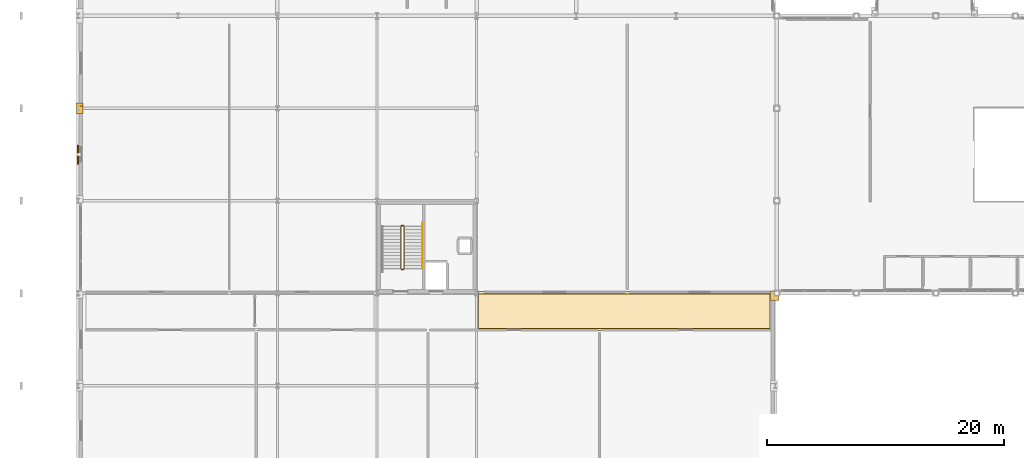
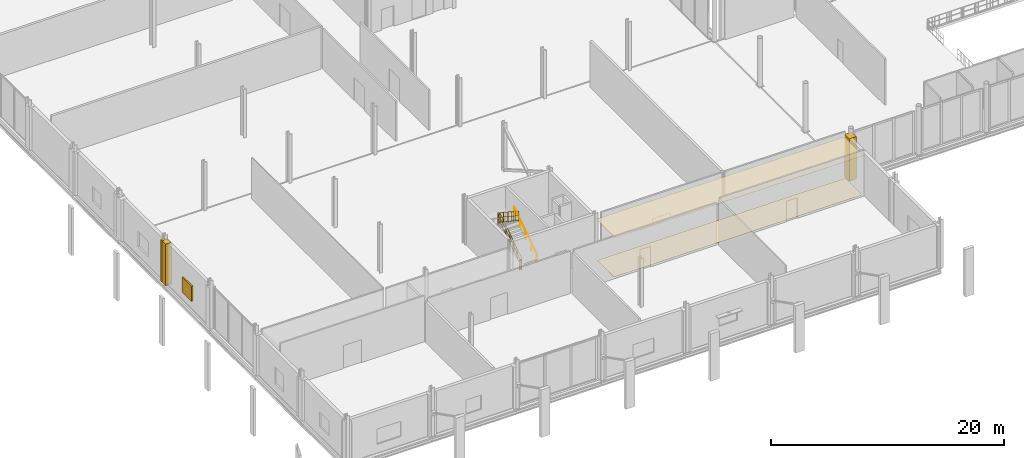
# One storey, part 93 of 105: 5 coverings, 5 railings, 1 shading device.
"""IFC4 building model written with IfcOpenShell, lengths in metres."""

from ifc_helpers import new_model, si_unit, direction, frame, origin, origin_2d, place, context, subcontext, project, spatial, polyline, rectangle, circle, outline, extrude, material, layer, layer_set, type_object, element, save


model = new_model("IFC4")

# Units and contexts
model_context = context("Model", 3, precision=1e-05, world=origin(), true_north=direction((0.0, 1.0)))
body_context = subcontext(model_context, "Body", "Model", "MODEL_VIEW")
ifc_project = project(units=[si_unit("LENGTHUNIT", "METRE"), si_unit("AREAUNIT", "SQUARE_METRE"), si_unit("VOLUMEUNIT", "CUBIC_METRE"), si_unit("PLANEANGLEUNIT", "RADIAN"), si_unit("MASSUNIT", "GRAM", prefix="KILO")], contexts=[model_context])

# Site, building, storey
site_placement = place(None, origin())
site = spatial("IfcSite", under=ifc_project, at=site_placement, CompositionType="ELEMENT")
building_placement = place(site_placement, origin())
building = spatial("IfcBuilding", under=site, at=building_placement, Name="Nabrawat Pavilion Hospital", CompositionType="ELEMENT")
storey_placement = place(building_placement, frame((0.0, 0.0, 5.10009765625)))
storey = spatial("IfcBuildingStorey", under=building, at=storey_placement, Name="L01", CompositionType="ELEMENT", Elevation=5.10009765625)

# Coverings
ifc_material_1 = material(Name="Precast concrete C40/50", Category="concrete")
ifc_layer_1 = layer(ifc_material_1, 0.360107421875, Name="Precast concrete C40/50")
ifc_layer_set_1 = layer_set([ifc_layer_1], Name="Precast concrete C40/50")
covering_type_1 = type_object("IfcCoveringType", Name="Architectural Precast Column-Jamb Closure Reveal", PredefinedType="CLADDING", material=ifc_layer_set_1)
covering_1_placement = place(storey_placement, origin())
element("IfcCovering", 1, at=covering_1_placement, inside=storey, type_object=covering_type_1, Name="L01 Precast Facade Column-Jamb Weatherseal Closure 0176", PredefinedType="CLADDING", context=body_context, shape_type="SweptSolid", body=[
    extrude(outline(polyline([(0.39990234375, 30.77001953125), (0.39990234375, 31.3798828125), (-0.179931640625, 31.3798828125), (-0.179931640625, 30.77001953125), (0.39990234375, 30.77001953125)])), origin(), (0.0, 0.0, 1.0), 4.329833984375),
])
covering_2_placement = place(storey_placement, origin())
element("IfcCovering", 2, at=covering_2_placement, inside=storey, type_object=covering_type_1, Name="L01 Precast Facade Column-Jamb Weatherseal Closure 0177", PredefinedType="CLADDING", context=body_context, shape_type="SweptSolid", body=[
    extrude(outline(polyline([(0.39990234375, 31.02001953125), (0.39990234375, 31.6298828125), (-0.179931640625, 31.6298828125), (-0.179931640625, 31.02001953125), (0.39990234375, 31.02001953125)])), origin(), (0.0, 0.0, 1.0), 4.329833984375),
])
covering_3_placement = place(storey_placement, origin())
element("IfcCovering", 3, at=covering_3_placement, inside=storey, type_object=covering_type_1, Name="L01 Precast Facade Column-Jamb Weatherseal Closure 0224", PredefinedType="CLADDING", context=body_context, shape_type="SweptSolid", body=[
    extrude(outline(polyline([(59.10009765625, 14.97998046875), (59.10009765625, 15.780029296875), (58.39990234375, 15.780029296875), (58.39990234375, 14.97998046875), (59.10009765625, 14.97998046875)])), origin(), (0.0, 0.0, 1.0), 4.43994140625),
])
ifc_material_2 = material(Name="Mineral-Fibre Hygienic Acoustic Board", Category="gypsum")
ifc_layer_2 = layer(ifc_material_2, 0.02490234375, Name="Mineral-Fibre Hygienic Acoustic Board")
ifc_layer_set_2 = layer_set([ifc_layer_2], Name="Mineral-Fibre Hygienic Acoustic Board")
covering_type_2 = type_object("IfcCoveringType", Name="Hygienic Anti-Bacterial Acoustic Tile Ceiling", PredefinedType="CEILING", material=ifc_layer_set_2)
covering_4_placement = place(storey_placement, frame((0.0, 0.0, 4.2099609375)))
element("IfcCovering", 4, at=covering_4_placement, inside=storey, type_object=covering_type_2, Name="L01 Clinical Corridor Acoustic Ceiling 04", PredefinedType="CEILING", context=body_context, shape_type="SweptSolid", body=[
    extrude(outline(polyline([(58.35009765625, 12.469970703125), (58.35009765625, 15.72998046875), (33.77001953125, 15.72998046875), (33.77001953125, 12.469970703125), (58.35009765625, 12.469970703125)])), origin(), (0.0, 0.0, 1.0), 0.02490234375),
])

# Shading device
ifc_layer_3 = layer(ifc_material_1, 2.39990234375, Name="Precast concrete C40/50")
ifc_layer_set_3 = layer_set([ifc_layer_3], Name="Precast concrete C40/50")
shading_device_type = type_object("IfcShadingDeviceType", Name="Perforated GFRC Mashrabiya Solar Fin", PredefinedType="JALOUSIE", material=ifc_layer_set_3)
shading_device_placement = place(storey_placement, frame((-0.010009765625, 27.300048828125, 0.89990234375), z_axis=(0.0, 0.0, 1.0), x_axis=(0.0, 1.0, 0.0)))
element("IfcShadingDevice", 5, at=shading_device_placement, inside=storey, type_object=shading_device_type, Name="L01 Perforated GFRC Mashrabiya Screen 008", PredefinedType="JALOUSIE", context=body_context, shape_type="SweptSolid", body=[
    extrude(rectangle(XDim=1.60009765625, YDim=0.139892578125, at=origin_2d()), origin(), (0.0, 0.0, 1.0), 1.60009765625),
])

# Covering
ifc_material_3 = material(Name="Homogeneous Medical PVC Vinyl", Category="plastic")
ifc_layer_4 = layer(ifc_material_3, 0.014892578125, Name="Homogeneous Medical PVC Vinyl")
ifc_layer_set_4 = layer_set([ifc_layer_4], Name="Homogeneous Medical PVC Vinyl")
covering_type_3 = type_object("IfcCoveringType", Name="Seamless Anti-Static Medical Vinyl Flooring", PredefinedType="FLOORING", material=ifc_layer_set_4)
covering_5_placement = place(storey_placement, origin())
element("IfcCovering", 6, at=covering_5_placement, inside=storey, type_object=covering_type_3, Name="L01 Clinical Corridor Medical Vinyl Flooring 04", PredefinedType="FLOORING", context=body_context, shape_type="SweptSolid", body=[
    extrude(outline(polyline([(58.35009765625, 12.64990234375), (58.35009765625, 15.550048828125), (33.77001953125, 15.550048828125), (33.77001953125, 12.64990234375), (58.35009765625, 12.64990234375)])), origin(), (0.0, 0.0, 1.0), 0.014892578125),
])

# Railings
ifc_material_4 = material(Name="Stainless Steel 316", Category="steel")
ifc_layer_5 = layer(ifc_material_4, 0.050048828125, Name="Stainless Steel 316")
ifc_layer_set_5 = layer_set([ifc_layer_5], Name="Stainless Steel 316")
railing_type_1 = type_object("IfcRailingType", Name="Stair Open-Well Safety Guardrail 1100", PredefinedType="GUARDRAIL", material=ifc_layer_set_5)
railing_1_placement = place(storey_placement, frame((27.47509765625, 17.669921875, 0.18212890625)))
element("IfcRailing", 7, at=railing_1_placement, inside=storey, type_object=railing_type_1, Name="L01 ST-01 stair guard 1", PredefinedType="GUARDRAIL", context=body_context, shape_type="SweptSolid", body=[
    extrude(circle(Radius=0.02392578125, at=origin_2d()), frame((0.0, 0.0, 1.076171875), z_axis=(0.0, 0.833745659579, 0.552148689334), x_axis=(-1.0, 0.0, 0.0)), (0.0, 0.0, 1.0), 4.2880859375),
    extrude(circle(Radius=0.02392578125, at=origin_2d()), frame((0.0, 0.0, 0.10009765625), z_axis=(0.0, 0.833745659579, 0.552148689334), x_axis=(-1.0, 0.0, 0.0)), (0.0, 0.0, 1.0), 4.2880859375),
    extrude(circle(Radius=0.02392578125, at=origin_2d()), frame((0.0, 0.0, 0.60498046875), z_axis=(0.0, 0.833745659579, 0.552148689334), x_axis=(-1.0, 0.0, 0.0)), (0.0, 0.0, 1.0), 4.2880859375),
    extrude(circle(Radius=0.008056640625, at=origin_2d()), frame((0.0, 0.19873046875, 0.2314453125)), (0.0, 0.0, 1.0), 0.951904296875),
    extrude(circle(Radius=0.008056640625, at=origin_2d()), frame((0.0, 0.397216796875, 0.363037109375)), (0.0, 0.0, 1.0), 0.951904296875),
    extrude(circle(Radius=0.008056640625, at=origin_2d()), frame((0.0, 0.595947265625, 0.49462890625)), (0.0, 0.0, 1.0), 0.951904296875),
    extrude(circle(Radius=0.008056640625, at=origin_2d()), frame((0.0, 0.79443359375, 0.626220703125)), (0.0, 0.0, 1.0), 0.951904296875),
    extrude(circle(Radius=0.008056640625, at=origin_2d()), frame((0.0, 0.9931640625, 0.757568359375)), (0.0, 0.0, 1.0), 0.951904296875),
    extrude(circle(Radius=0.008056640625, at=origin_2d()), frame((0.0, 1.191650390625, 0.88916015625)), (0.0, 0.0, 1.0), 0.951904296875),
    extrude(circle(Radius=0.008056640625, at=origin_2d()), frame((0.0, 1.390380859375, 1.020751953125)), (0.0, 0.0, 1.0), 0.951904296875),
    extrude(circle(Radius=0.008056640625, at=origin_2d()), frame((0.0, 1.5888671875, 1.15234375)), (0.0, 0.0, 1.0), 0.951904296875),
    extrude(circle(Radius=0.008056640625, at=origin_2d()), frame((0.0, 1.986328125, 1.415283203125)), (0.0, 0.0, 1.0), 0.951904296875),
    extrude(circle(Radius=0.008056640625, at=origin_2d()), frame((0.0, 2.184814453125, 1.546875)), (0.0, 0.0, 1.0), 0.951904296875),
    extrude(circle(Radius=0.008056640625, at=origin_2d()), frame((0.0, 2.383544921875, 1.678466796875)), (0.0, 0.0, 1.0), 0.951904296875),
    extrude(circle(Radius=0.008056640625, at=origin_2d()), frame((0.0, 2.58203125, 1.81005859375)), (0.0, 0.0, 1.0), 0.951904296875),
    extrude(circle(Radius=0.008056640625, at=origin_2d()), frame((0.0, 2.78076171875, 1.94140625)), (0.0, 0.0, 1.0), 0.951904296875),
    extrude(circle(Radius=0.008056640625, at=origin_2d()), frame((0.0, 2.979248046875, 2.072998046875)), (0.0, 0.0, 1.0), 0.951904296875),
    extrude(circle(Radius=0.008056640625, at=origin_2d()), frame((0.0, 3.177978515625, 2.20458984375)), (0.0, 0.0, 1.0), 0.951904296875),
    extrude(circle(Radius=0.008056640625, at=origin_2d()), frame((0.0, 3.37646484375, 2.336181640625)), (0.0, 0.0, 1.0), 0.951904296875),
    extrude(circle(Radius=0.02099609375, at=origin_2d()), origin(), (0.0, 0.0, 1.0), 1.052001953125),
    extrude(circle(Radius=0.02099609375, at=origin_2d()), frame((0.0, 0.893798828125, 0.591796875)), (0.0, 0.0, 1.0), 1.052001953125),
    extrude(circle(Radius=0.02099609375, at=origin_2d()), frame((0.0, 1.78759765625, 1.183837890625)), (0.0, 0.0, 1.0), 1.052001953125),
    extrude(circle(Radius=0.02099609375, at=origin_2d()), frame((0.0, 2.681396484375, 1.77587890625)), (0.0, 0.0, 1.0), 1.052001953125),
    extrude(circle(Radius=0.02099609375, at=origin_2d()), frame((0.0, 3.5751953125, 2.36767578125)), (0.0, 0.0, 1.0), 1.052001953125),
])
railing_2_placement = place(storey_placement, frame((27.449951171875, 21.294921875, 2.5498046875)))
element("IfcRailing", 8, at=railing_2_placement, inside=storey, type_object=railing_type_1, Name="L01 ST-01 stair guard 2", PredefinedType="GUARDRAIL", context=body_context, shape_type="SweptSolid", body=[
    extrude(circle(Radius=0.02392578125, at=origin_2d()), frame((0.0, 0.0, 1.076171875), z_axis=(-1.0, 0.0, 0.0), x_axis=(0.0, -1.0, 0.0)), (0.0, 0.0, 1.0), 0.199951171875),
    extrude(circle(Radius=0.02392578125, at=origin_2d()), frame((0.0, 0.0, 0.10009765625), z_axis=(-1.0, 0.0, 0.0), x_axis=(0.0, -1.0, 0.0)), (0.0, 0.0, 1.0), 0.199951171875),
    extrude(circle(Radius=0.02392578125, at=origin_2d()), frame((0.0, 0.0, 0.60498046875), z_axis=(-1.0, 0.0, 0.0), x_axis=(0.0, -1.0, 0.0)), (0.0, 0.0, 1.0), 0.199951171875),
    extrude(circle(Radius=0.008056640625, at=origin_2d()), frame((-0.10009765625, 0.0, 0.10009765625)), (0.0, 0.0, 1.0), 0.951904296875),
    extrude(circle(Radius=0.02099609375, at=origin_2d()), origin(), (0.0, 0.0, 1.0), 1.052001953125),
    extrude(circle(Radius=0.02099609375, at=origin_2d()), frame((-0.199951171875, 0.0, 0.0)), (0.0, 0.0, 1.0), 1.052001953125),
])
railing_3_placement = place(storey_placement, frame((27.22509765625, 21.2451171875, 2.73193359375)))
element("IfcRailing", 9, at=railing_3_placement, inside=storey, type_object=railing_type_1, Name="L01 ST-01 stair guard 3", PredefinedType="GUARDRAIL", context=body_context, shape_type="SweptSolid", body=[
    extrude(circle(Radius=0.02392578125, at=origin_2d()), frame((0.0, 0.0, 1.076171875), z_axis=(0.0, -0.833719449677, 0.5521882643), x_axis=(1.0, 0.0, 0.0)), (0.0, 0.0, 1.0), 4.288330078125),
    extrude(circle(Radius=0.02392578125, at=origin_2d()), frame((0.0, 0.0, 0.10009765625), z_axis=(0.0, -0.833719449677, 0.5521882643), x_axis=(1.0, 0.0, 0.0)), (0.0, 0.0, 1.0), 4.288330078125),
    extrude(circle(Radius=0.02392578125, at=origin_2d()), frame((0.0, 0.0, 0.60498046875), z_axis=(0.0, -0.833719449677, 0.5521882643), x_axis=(1.0, 0.0, 0.0)), (0.0, 0.0, 1.0), 4.288330078125),
    extrude(circle(Radius=0.008056640625, at=origin_2d()), frame((0.0, -0.19873046875, 0.2314453125)), (0.0, 0.0, 1.0), 0.951904296875),
    extrude(circle(Radius=0.008056640625, at=origin_2d()), frame((0.0, -0.397216796875, 0.363037109375)), (0.0, 0.0, 1.0), 0.951904296875),
    extrude(circle(Radius=0.008056640625, at=origin_2d()), frame((0.0, -0.595947265625, 0.49462890625)), (0.0, 0.0, 1.0), 0.951904296875),
    extrude(circle(Radius=0.008056640625, at=origin_2d()), frame((0.0, -0.79443359375, 0.626220703125)), (0.0, 0.0, 1.0), 0.951904296875),
    extrude(circle(Radius=0.008056640625, at=origin_2d()), frame((0.0, -0.9931640625, 0.7578125)), (0.0, 0.0, 1.0), 0.951904296875),
    extrude(circle(Radius=0.008056640625, at=origin_2d()), frame((0.0, -1.191650390625, 0.889404296875)), (0.0, 0.0, 1.0), 0.951904296875),
    extrude(circle(Radius=0.008056640625, at=origin_2d()), frame((0.0, -1.390380859375, 1.020751953125)), (0.0, 0.0, 1.0), 0.951904296875),
    extrude(circle(Radius=0.008056640625, at=origin_2d()), frame((0.0, -1.5888671875, 1.15234375)), (0.0, 0.0, 1.0), 0.951904296875),
    extrude(circle(Radius=0.008056640625, at=origin_2d()), frame((0.0, -1.986328125, 1.41552734375)), (0.0, 0.0, 1.0), 0.951904296875),
    extrude(circle(Radius=0.008056640625, at=origin_2d()), frame((0.0, -2.184814453125, 1.547119140625)), (0.0, 0.0, 1.0), 0.951904296875),
    extrude(circle(Radius=0.008056640625, at=origin_2d()), frame((0.0, -2.383544921875, 1.6787109375)), (0.0, 0.0, 1.0), 0.951904296875),
    extrude(circle(Radius=0.008056640625, at=origin_2d()), frame((0.0, -2.58203125, 1.81005859375)), (0.0, 0.0, 1.0), 0.951904296875),
    extrude(circle(Radius=0.008056640625, at=origin_2d()), frame((0.0, -2.78076171875, 1.941650390625)), (0.0, 0.0, 1.0), 0.951904296875),
    extrude(circle(Radius=0.008056640625, at=origin_2d()), frame((0.0, -2.979248046875, 2.0732421875)), (0.0, 0.0, 1.0), 0.951904296875),
    extrude(circle(Radius=0.008056640625, at=origin_2d()), frame((0.0, -3.177978515625, 2.204833984375)), (0.0, 0.0, 1.0), 0.951904296875),
    extrude(circle(Radius=0.008056640625, at=origin_2d()), frame((0.0, -3.37646484375, 2.33642578125)), (0.0, 0.0, 1.0), 0.951904296875),
    extrude(circle(Radius=0.02099609375, at=origin_2d()), origin(), (0.0, 0.0, 1.0), 1.052001953125),
    extrude(circle(Radius=0.02099609375, at=origin_2d()), frame((0.0, -0.893798828125, 0.592041015625)), (0.0, 0.0, 1.0), 1.052001953125),
    extrude(circle(Radius=0.02099609375, at=origin_2d()), frame((0.0, -1.78759765625, 1.18408203125)), (0.0, 0.0, 1.0), 1.052001953125),
    extrude(circle(Radius=0.02099609375, at=origin_2d()), frame((0.0, -2.681396484375, 1.77587890625)), (0.0, 0.0, 1.0), 1.052001953125),
    extrude(circle(Radius=0.02099609375, at=origin_2d()), frame((0.0, -3.5751953125, 2.367919921875)), (0.0, 0.0, 1.0), 1.052001953125),
])
railing_4_placement = place(storey_placement, frame((27.449951171875, 17.6201171875, 0.0)))
element("IfcRailing", 10, at=railing_4_placement, inside=storey, type_object=railing_type_1, Name="L01 ST-01 stair guard 4", PredefinedType="GUARDRAIL", context=body_context, shape_type="SweptSolid", body=[
    extrude(circle(Radius=0.02392578125, at=origin_2d()), frame((0.0, 0.0, 1.076171875), z_axis=(-1.0, 0.0, 0.0), x_axis=(0.0, -1.0, 0.0)), (0.0, 0.0, 1.0), 0.199951171875),
    extrude(circle(Radius=0.02392578125, at=origin_2d()), frame((0.0, 0.0, 0.10009765625), z_axis=(-1.0, 0.0, 0.0), x_axis=(0.0, -1.0, 0.0)), (0.0, 0.0, 1.0), 0.199951171875),
    extrude(circle(Radius=0.02392578125, at=origin_2d()), frame((0.0, 0.0, 0.60498046875), z_axis=(-1.0, 0.0, 0.0), x_axis=(0.0, -1.0, 0.0)), (0.0, 0.0, 1.0), 0.199951171875),
    extrude(circle(Radius=0.008056640625, at=origin_2d()), frame((-0.10009765625, 0.0, 0.10009765625)), (0.0, 0.0, 1.0), 0.951904296875),
    extrude(circle(Radius=0.02099609375, at=origin_2d()), origin(), (0.0, 0.0, 1.0), 1.052001953125),
    extrude(circle(Radius=0.02099609375, at=origin_2d()), frame((-0.199951171875, 0.0, 0.0)), (0.0, 0.0, 1.0), 1.052001953125),
])
ifc_layer_6 = layer(ifc_material_4, 0.044921875, Name="Stainless Steel 316")
ifc_layer_set_6 = layer_set([ifc_layer_6], Name="Stainless Steel 316")
railing_type_2 = type_object("IfcRailingType", Name="Stair Pitch Continuous Handrail 920", PredefinedType="HANDRAIL", material=ifc_layer_set_6)
railing_5_placement = place(storey_placement, frame((29.02490234375, 17.669921875, 0.18603515625)))
element("IfcRailing", 11, at=railing_5_placement, inside=storey, type_object=railing_type_2, Name="L01 ST-01 stair handrail 1", PredefinedType="HANDRAIL", context=body_context, shape_type="SweptSolid", body=[
    extrude(circle(Radius=0.02392578125, at=origin_2d()), frame((0.0, 0.0, 0.89599609375), z_axis=(0.0, 0.833713881912, 0.552196670677), x_axis=(-1.0, 0.0, 0.0)), (0.0, 0.0, 1.0), 4.617919921875),
    extrude(circle(Radius=0.02099609375, at=origin_2d()), origin(), (0.0, 0.0, 1.0), 0.871826171875),
    extrude(circle(Radius=0.02099609375, at=origin_2d()), frame((0.0, 0.96240234375, 0.637451171875)), (0.0, 0.0, 1.0), 0.871826171875),
    extrude(circle(Radius=0.02099609375, at=origin_2d()), frame((0.0, 1.925048828125, 1.27490234375)), (0.0, 0.0, 1.0), 0.871826171875),
    extrude(circle(Radius=0.02099609375, at=origin_2d()), frame((0.0, 2.8876953125, 1.91259765625)), (0.0, 0.0, 1.0), 0.871826171875),
    extrude(circle(Radius=0.02099609375, at=origin_2d()), frame((0.0, 3.85009765625, 2.550048828125)), (0.0, 0.0, 1.0), 0.871826171875),
])

save(model, "model.ifc")
